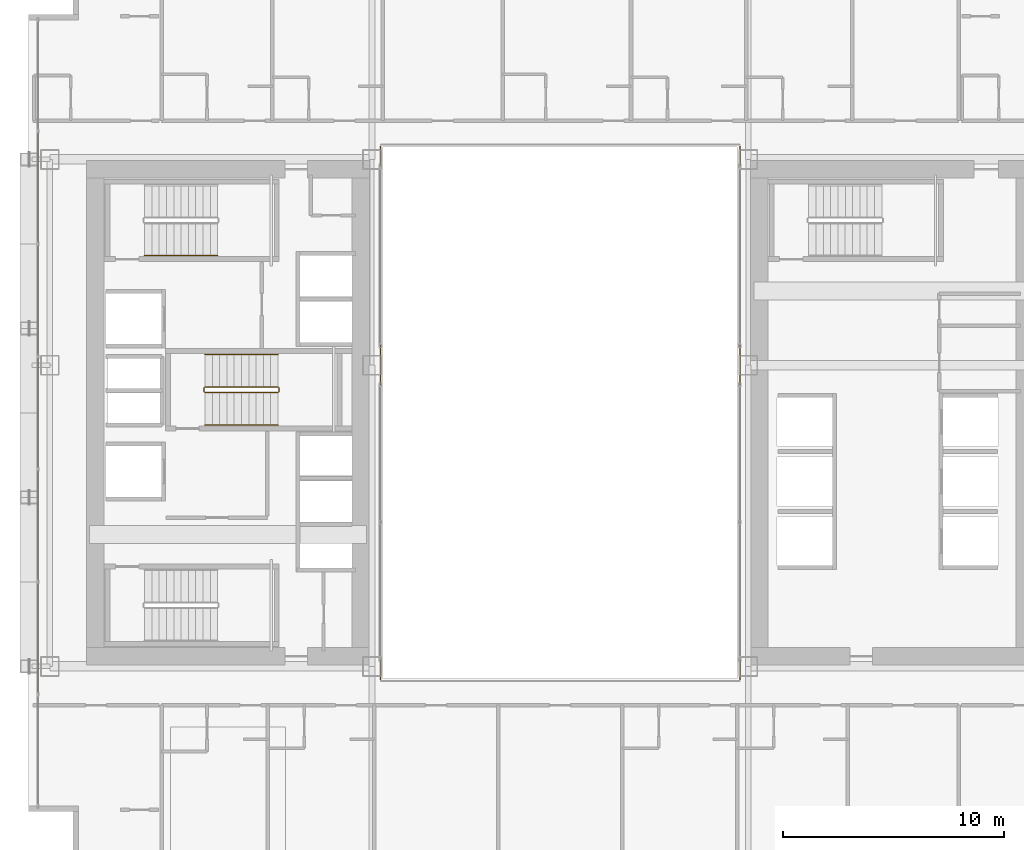
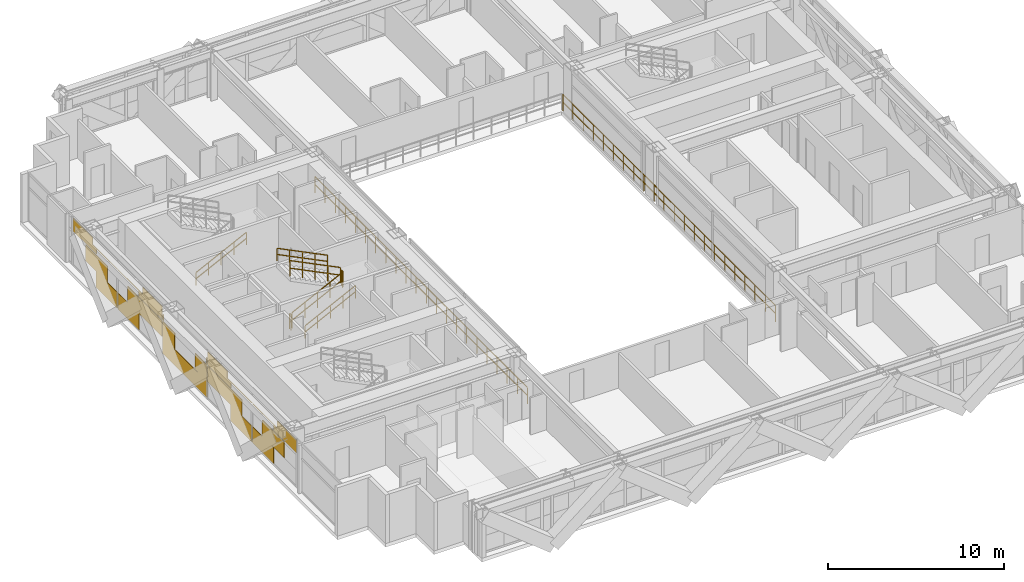
# One storey, part 39 of 41: 9 railings, 1 covering.
"""IFC4 building model written with IfcOpenShell, lengths in metres."""

from ifc_helpers import new_model, si_unit, direction, frame, origin, origin_2d, place, context, subcontext, project, spatial, rectangle, extrude, material, layer, layer_set, type_object, element, save


model = new_model("IFC4")

# Units and contexts
model_context = context("Model", 3, precision=1e-05, world=origin(), true_north=direction((0.0, 1.0)))
body_context = subcontext(model_context, "Body", "Model", "MODEL_VIEW")
ifc_project = project(units=[si_unit("LENGTHUNIT", "METRE"), si_unit("AREAUNIT", "SQUARE_METRE"), si_unit("VOLUMEUNIT", "CUBIC_METRE"), si_unit("PLANEANGLEUNIT", "RADIAN"), si_unit("MASSUNIT", "GRAM", prefix="KILO")], contexts=[model_context])

# Site, building, storey
site_placement = place(None, origin())
site = spatial("IfcSite", under=ifc_project, at=site_placement, CompositionType="ELEMENT")
building_placement = place(site_placement, origin())
building = spatial("IfcBuilding", under=site, at=building_placement, Name="Ocotamira Hotel", CompositionType="ELEMENT")
storey_placement = place(building_placement, frame((0.0, 0.0, 67.199951171875)))
storey = spatial("IfcBuildingStorey", under=building, at=storey_placement, Name="L16", CompositionType="ELEMENT", Elevation=67.199951171875)

# Covering
ifc_material_1 = material(Name="Insulated pale-metal aluminium spandrel panel", Category="aluminium")
ifc_layer = layer(ifc_material_1, 0.044921875)
ifc_layer_set = layer_set([ifc_layer], Name="Insulated pale-metal aluminium spandrel panel")
covering_type = type_object("IfcCoveringType", Name="COV-INFILL-45", PredefinedType="CLADDING", material=ifc_layer_set)
covering_placement = place(storey_placement, origin())
element("IfcCovering", 1, at=covering_placement, inside=storey, type_object=covering_type, Name="L16 Curtain Wall Infill CW-2 CW-L16-W", PredefinedType="CLADDING", context=body_context, shape_type="SweptSolid", body=[
    extrude(rectangle(XDim=2.49658203125, YDim=0.044921875, at=origin_2d()), frame((8.419921875, 15.977783203125, 1.1943359375), z_axis=(0.0, 0.0, 1.0), x_axis=(0.0, 1.0, 0.0)), (0.0, 0.0, 1.0), 1.117919921875),
    extrude(rectangle(XDim=2.415283203125, YDim=0.044921875, at=origin_2d()), frame((8.419921875, 17.123291015625, 0.07568359375), z_axis=(0.0, 0.0, 1.0), x_axis=(0.0, 1.0, 0.0)), (0.0, 0.0, 1.0), 1.11767578125),
    extrude(rectangle(XDim=2.634521484375, YDim=0.044921875, at=origin_2d()), frame((8.419921875, 14.6435546875, 2.38818359375), z_axis=(0.0, 0.0, 1.0), x_axis=(0.0, 1.0, 0.0)), (0.0, 0.0, 1.0), 0.366943359375),
    extrude(rectangle(XDim=5.004638671875, YDim=0.044921875, at=origin_2d()), frame((8.419921875, 15.82861328125, 2.756103515625), z_axis=(0.0, 0.0, 1.0), x_axis=(0.0, 1.0, 0.0)), (0.0, 0.0, 1.0), 0.033203125),
    extrude(rectangle(XDim=2.2080078125, YDim=0.044921875, at=origin_2d()), frame((8.419921875, 14.43017578125, 2.79052734375), z_axis=(0.0, 0.0, 1.0), x_axis=(0.0, 1.0, 0.0)), (0.0, 0.0, 1.0), 0.484130859375),
    extrude(rectangle(XDim=2.40576171875, YDim=0.044921875, at=origin_2d()), frame((8.419921875, 19.61474609375, 0.07568359375), z_axis=(0.0, 0.0, 1.0), x_axis=(0.0, 1.0, 0.0)), (0.0, 0.0, 1.0), 1.11767578125),
    extrude(rectangle(XDim=3.90966796875, YDim=0.044921875, at=origin_2d()), frame((8.419921875, 21.4619140625, 1.1943359375), z_axis=(0.0, 0.0, 1.0), x_axis=(0.0, 1.0, 0.0)), (0.0, 0.0, 1.0), 1.117919921875),
    extrude(rectangle(XDim=5.004638671875, YDim=0.044921875, at=origin_2d()), frame((8.419921875, 20.914306640625, 2.756103515625), z_axis=(0.0, 0.0, 1.0), x_axis=(0.0, 1.0, 0.0)), (0.0, 0.0, 1.0), 0.033203125),
    extrude(rectangle(XDim=2.64404296875, YDim=0.044921875, at=origin_2d()), frame((8.419921875, 22.094482421875, 2.38818359375), z_axis=(0.0, 0.0, 1.0), x_axis=(0.0, 1.0, 0.0)), (0.0, 0.0, 1.0), 0.366943359375),
    extrude(rectangle(XDim=2.217529296875, YDim=0.044921875, at=origin_2d()), frame((8.419921875, 22.307861328125, 2.79052734375), z_axis=(0.0, 0.0, 1.0), x_axis=(0.0, 1.0, 0.0)), (0.0, 0.0, 1.0), 0.484130859375),
    extrude(rectangle(XDim=5.004638671875, YDim=0.044921875, at=origin_2d()), frame((8.419921875, 26.0, 0.07568359375), z_axis=(0.0, 0.0, 1.0), x_axis=(0.0, 1.0, 0.0)), (0.0, 0.0, 1.0), 1.11767578125),
    extrude(rectangle(XDim=1.362060546875, YDim=0.044921875, at=origin_2d()), frame((8.419921875, 24.1787109375, 1.1943359375), z_axis=(0.0, 0.0, 1.0), x_axis=(0.0, 1.0, 0.0)), (0.0, 0.0, 1.0), 1.117919921875),
    extrude(rectangle(XDim=1.362060546875, YDim=0.044921875, at=origin_2d()), frame((8.419921875, 27.8212890625, 1.1943359375), z_axis=(0.0, 0.0, 1.0), x_axis=(0.0, 1.0, 0.0)), (0.0, 0.0, 1.0), 1.117919921875),
    extrude(rectangle(XDim=0.096435546875, YDim=0.044921875, at=origin_2d()), frame((8.419921875, 23.5458984375, 2.387939453125), z_axis=(0.0, 0.0, 1.0), x_axis=(0.0, 1.0, 0.0)), (0.0, 0.0, 1.0), 0.4013671875),
    extrude(rectangle(XDim=0.096435546875, YDim=0.044921875, at=origin_2d()), frame((8.419921875, 28.4541015625, 2.387939453125), z_axis=(0.0, 0.0, 1.0), x_axis=(0.0, 1.0, 0.0)), (0.0, 0.0, 1.0), 0.4013671875),
    extrude(rectangle(XDim=3.90966796875, YDim=0.044921875, at=origin_2d()), frame((8.419921875, 30.5380859375, 1.1943359375), z_axis=(0.0, 0.0, 1.0), x_axis=(0.0, 1.0, 0.0)), (0.0, 0.0, 1.0), 1.117919921875),
    extrude(rectangle(XDim=2.40576171875, YDim=0.044921875, at=origin_2d()), frame((8.419921875, 32.38525390625, 0.07568359375), z_axis=(0.0, 0.0, 1.0), x_axis=(0.0, 1.0, 0.0)), (0.0, 0.0, 1.0), 1.11767578125),
    extrude(rectangle(XDim=2.64404296875, YDim=0.044921875, at=origin_2d()), frame((8.419921875, 29.905517578125, 2.38818359375), z_axis=(0.0, 0.0, 1.0), x_axis=(0.0, 1.0, 0.0)), (0.0, 0.0, 1.0), 0.366943359375),
    extrude(rectangle(XDim=5.004638671875, YDim=0.044921875, at=origin_2d()), frame((8.419921875, 31.085693359375, 2.756103515625), z_axis=(0.0, 0.0, 1.0), x_axis=(0.0, 1.0, 0.0)), (0.0, 0.0, 1.0), 0.033203125),
    extrude(rectangle(XDim=2.217529296875, YDim=0.044921875, at=origin_2d()), frame((8.419921875, 29.692138671875, 2.79052734375), z_axis=(0.0, 0.0, 1.0), x_axis=(0.0, 1.0, 0.0)), (0.0, 0.0, 1.0), 0.484130859375),
    extrude(rectangle(XDim=2.415283203125, YDim=0.044921875, at=origin_2d()), frame((8.419921875, 34.876708984375, 0.07568359375), z_axis=(0.0, 0.0, 1.0), x_axis=(0.0, 1.0, 0.0)), (0.0, 0.0, 1.0), 1.11767578125),
    extrude(rectangle(XDim=2.49658203125, YDim=0.044921875, at=origin_2d()), frame((8.419921875, 36.022216796875, 1.1943359375), z_axis=(0.0, 0.0, 1.0), x_axis=(0.0, 1.0, 0.0)), (0.0, 0.0, 1.0), 1.117919921875),
    extrude(rectangle(XDim=5.004638671875, YDim=0.044921875, at=origin_2d()), frame((8.419921875, 36.17138671875, 2.756103515625), z_axis=(0.0, 0.0, 1.0), x_axis=(0.0, 1.0, 0.0)), (0.0, 0.0, 1.0), 0.033203125),
    extrude(rectangle(XDim=2.634521484375, YDim=0.044921875, at=origin_2d()), frame((8.419921875, 37.3564453125, 2.38818359375), z_axis=(0.0, 0.0, 1.0), x_axis=(0.0, 1.0, 0.0)), (0.0, 0.0, 1.0), 0.366943359375),
    extrude(rectangle(XDim=2.2080078125, YDim=0.044921875, at=origin_2d()), frame((8.419921875, 37.56982421875, 2.79052734375), z_axis=(0.0, 0.0, 1.0), x_axis=(0.0, 1.0, 0.0)), (0.0, 0.0, 1.0), 0.484130859375),
])

# Railings
ifc_material_2 = material(Name="Painted steel stair guardrail", Category="steel")
railing_type_1 = type_object("IfcRailingType", Name="RL-EDGE-1150", PredefinedType="GUARDRAIL", material=ifc_material_2)
railing_1_placement = place(storey_placement, frame((40.1201171875, 13.9599609375, 0.0)))
element("IfcRailing", 2, at=railing_1_placement, inside=storey, type_object=railing_type_1, Name="L16 Central Atrium Edge Guardrail E", PredefinedType="GUARDRAIL", context=body_context, shape_type="SweptSolid", body=[
    extrude(rectangle(XDim=0.048095703125, YDim=0.048095703125, at=origin_2d()), frame((0.0, 0.0, 1.1259765625), z_axis=(0.0, 1.0, 0.0), x_axis=(-1.0, 0.0, 0.0)), (0.0, 0.0, 1.0), 24.080078125),
    extrude(rectangle(XDim=0.048095703125, YDim=0.048095703125, at=origin_2d()), frame((0.0, 0.0, 0.574951171875), z_axis=(0.0, 1.0, 0.0), x_axis=(-1.0, 0.0, 0.0)), (0.0, 0.0, 1.0), 24.080078125),
    extrude(rectangle(XDim=0.0419921875, YDim=0.0419921875, at=origin_2d()), origin(), (0.0, 0.0, 1.0), 1.101806640625),
    extrude(rectangle(XDim=0.0419921875, YDim=0.0419921875, at=origin_2d()), frame((0.0, 1.146728515625, 0.0)), (0.0, 0.0, 1.0), 1.101806640625),
    extrude(rectangle(XDim=0.0419921875, YDim=0.0419921875, at=origin_2d()), frame((0.0, 2.29345703125, 0.0)), (0.0, 0.0, 1.0), 1.101806640625),
    extrude(rectangle(XDim=0.0419921875, YDim=0.0419921875, at=origin_2d()), frame((0.0, 3.43994140625, 0.0)), (0.0, 0.0, 1.0), 1.101806640625),
    extrude(rectangle(XDim=0.0419921875, YDim=0.0419921875, at=origin_2d()), frame((0.0, 4.586669921875, 0.0)), (0.0, 0.0, 1.0), 1.101806640625),
    extrude(rectangle(XDim=0.0419921875, YDim=0.0419921875, at=origin_2d()), frame((0.0, 5.7333984375, 0.0)), (0.0, 0.0, 1.0), 1.101806640625),
    extrude(rectangle(XDim=0.0419921875, YDim=0.0419921875, at=origin_2d()), frame((0.0, 6.880126953125, 0.0)), (0.0, 0.0, 1.0), 1.101806640625),
    extrude(rectangle(XDim=0.0419921875, YDim=0.0419921875, at=origin_2d()), frame((0.0, 8.026611328125, 0.0)), (0.0, 0.0, 1.0), 1.101806640625),
    extrude(rectangle(XDim=0.0419921875, YDim=0.0419921875, at=origin_2d()), frame((0.0, 9.17333984375, 0.0)), (0.0, 0.0, 1.0), 1.101806640625),
    extrude(rectangle(XDim=0.0419921875, YDim=0.0419921875, at=origin_2d()), frame((0.0, 10.320068359375, 0.0)), (0.0, 0.0, 1.0), 1.101806640625),
    extrude(rectangle(XDim=0.0419921875, YDim=0.0419921875, at=origin_2d()), frame((0.0, 11.466796875, 0.0)), (0.0, 0.0, 1.0), 1.101806640625),
    extrude(rectangle(XDim=0.0419921875, YDim=0.0419921875, at=origin_2d()), frame((0.0, 12.61328125, 0.0)), (0.0, 0.0, 1.0), 1.101806640625),
    extrude(rectangle(XDim=0.0419921875, YDim=0.0419921875, at=origin_2d()), frame((0.0, 13.760009765625, 0.0)), (0.0, 0.0, 1.0), 1.101806640625),
    extrude(rectangle(XDim=0.0419921875, YDim=0.0419921875, at=origin_2d()), frame((0.0, 14.90673828125, 0.0)), (0.0, 0.0, 1.0), 1.101806640625),
    extrude(rectangle(XDim=0.0419921875, YDim=0.0419921875, at=origin_2d()), frame((0.0, 16.053466796875, 0.0)), (0.0, 0.0, 1.0), 1.101806640625),
    extrude(rectangle(XDim=0.0419921875, YDim=0.0419921875, at=origin_2d()), frame((0.0, 17.199951171875, 0.0)), (0.0, 0.0, 1.0), 1.101806640625),
    extrude(rectangle(XDim=0.0419921875, YDim=0.0419921875, at=origin_2d()), frame((0.0, 18.3466796875, 0.0)), (0.0, 0.0, 1.0), 1.101806640625),
    extrude(rectangle(XDim=0.0419921875, YDim=0.0419921875, at=origin_2d()), frame((0.0, 19.493408203125, 0.0)), (0.0, 0.0, 1.0), 1.101806640625),
    extrude(rectangle(XDim=0.0419921875, YDim=0.0419921875, at=origin_2d()), frame((0.0, 20.64013671875, 0.0)), (0.0, 0.0, 1.0), 1.101806640625),
    extrude(rectangle(XDim=0.0419921875, YDim=0.0419921875, at=origin_2d()), frame((0.0, 21.78662109375, 0.0)), (0.0, 0.0, 1.0), 1.101806640625),
    extrude(rectangle(XDim=0.0419921875, YDim=0.0419921875, at=origin_2d()), frame((0.0, 22.933349609375, 0.0)), (0.0, 0.0, 1.0), 1.101806640625),
    extrude(rectangle(XDim=0.0419921875, YDim=0.0419921875, at=origin_2d()), frame((0.0, 24.080078125, 0.0)), (0.0, 0.0, 1.0), 1.101806640625),
])
railing_2_placement = place(storey_placement, frame((23.8798828125, 38.0400390625, 0.0)))
element("IfcRailing", 3, at=railing_2_placement, inside=storey, type_object=railing_type_1, Name="L16 Central Atrium Edge Guardrail W", PredefinedType="GUARDRAIL", context=body_context, shape_type="SweptSolid", body=[
    extrude(rectangle(XDim=0.048095703125, YDim=0.048095703125, at=origin_2d()), frame((0.0, 0.0, 1.1259765625), z_axis=(0.0, -1.0, 0.0), x_axis=(1.0, 0.0, 0.0)), (0.0, 0.0, 1.0), 24.080078125),
    extrude(rectangle(XDim=0.048095703125, YDim=0.048095703125, at=origin_2d()), frame((0.0, 0.0, 0.574951171875), z_axis=(0.0, -1.0, 0.0), x_axis=(1.0, 0.0, 0.0)), (0.0, 0.0, 1.0), 24.080078125),
    extrude(rectangle(XDim=0.0419921875, YDim=0.0419921875, at=origin_2d()), origin(), (0.0, 0.0, 1.0), 1.101806640625),
    extrude(rectangle(XDim=0.0419921875, YDim=0.0419921875, at=origin_2d()), frame((0.0, -1.146728515625, 0.0)), (0.0, 0.0, 1.0), 1.101806640625),
    extrude(rectangle(XDim=0.0419921875, YDim=0.0419921875, at=origin_2d()), frame((0.0, -2.29345703125, 0.0)), (0.0, 0.0, 1.0), 1.101806640625),
    extrude(rectangle(XDim=0.0419921875, YDim=0.0419921875, at=origin_2d()), frame((0.0, -3.43994140625, 0.0)), (0.0, 0.0, 1.0), 1.101806640625),
    extrude(rectangle(XDim=0.0419921875, YDim=0.0419921875, at=origin_2d()), frame((0.0, -4.586669921875, 0.0)), (0.0, 0.0, 1.0), 1.101806640625),
    extrude(rectangle(XDim=0.0419921875, YDim=0.0419921875, at=origin_2d()), frame((0.0, -5.7333984375, 0.0)), (0.0, 0.0, 1.0), 1.101806640625),
    extrude(rectangle(XDim=0.0419921875, YDim=0.0419921875, at=origin_2d()), frame((0.0, -6.880126953125, 0.0)), (0.0, 0.0, 1.0), 1.101806640625),
    extrude(rectangle(XDim=0.0419921875, YDim=0.0419921875, at=origin_2d()), frame((0.0, -8.026611328125, 0.0)), (0.0, 0.0, 1.0), 1.101806640625),
    extrude(rectangle(XDim=0.0419921875, YDim=0.0419921875, at=origin_2d()), frame((0.0, -9.17333984375, 0.0)), (0.0, 0.0, 1.0), 1.101806640625),
    extrude(rectangle(XDim=0.0419921875, YDim=0.0419921875, at=origin_2d()), frame((0.0, -10.320068359375, 0.0)), (0.0, 0.0, 1.0), 1.101806640625),
    extrude(rectangle(XDim=0.0419921875, YDim=0.0419921875, at=origin_2d()), frame((0.0, -11.466796875, 0.0)), (0.0, 0.0, 1.0), 1.101806640625),
    extrude(rectangle(XDim=0.0419921875, YDim=0.0419921875, at=origin_2d()), frame((0.0, -12.61328125, 0.0)), (0.0, 0.0, 1.0), 1.101806640625),
    extrude(rectangle(XDim=0.0419921875, YDim=0.0419921875, at=origin_2d()), frame((0.0, -13.760009765625, 0.0)), (0.0, 0.0, 1.0), 1.101806640625),
    extrude(rectangle(XDim=0.0419921875, YDim=0.0419921875, at=origin_2d()), frame((0.0, -14.90673828125, 0.0)), (0.0, 0.0, 1.0), 1.101806640625),
    extrude(rectangle(XDim=0.0419921875, YDim=0.0419921875, at=origin_2d()), frame((0.0, -16.053466796875, 0.0)), (0.0, 0.0, 1.0), 1.101806640625),
    extrude(rectangle(XDim=0.0419921875, YDim=0.0419921875, at=origin_2d()), frame((0.0, -17.199951171875, 0.0)), (0.0, 0.0, 1.0), 1.101806640625),
    extrude(rectangle(XDim=0.0419921875, YDim=0.0419921875, at=origin_2d()), frame((0.0, -18.3466796875, 0.0)), (0.0, 0.0, 1.0), 1.101806640625),
    extrude(rectangle(XDim=0.0419921875, YDim=0.0419921875, at=origin_2d()), frame((0.0, -19.493408203125, 0.0)), (0.0, 0.0, 1.0), 1.101806640625),
    extrude(rectangle(XDim=0.0419921875, YDim=0.0419921875, at=origin_2d()), frame((0.0, -20.64013671875, 0.0)), (0.0, 0.0, 1.0), 1.101806640625),
    extrude(rectangle(XDim=0.0419921875, YDim=0.0419921875, at=origin_2d()), frame((0.0, -21.78662109375, 0.0)), (0.0, 0.0, 1.0), 1.101806640625),
    extrude(rectangle(XDim=0.0419921875, YDim=0.0419921875, at=origin_2d()), frame((0.0, -22.933349609375, 0.0)), (0.0, 0.0, 1.0), 1.101806640625),
    extrude(rectangle(XDim=0.0419921875, YDim=0.0419921875, at=origin_2d()), frame((0.0, -24.080078125, 0.0)), (0.0, 0.0, 1.0), 1.101806640625),
])
ifc_material_3 = material(Name="Brushed stainless steel handrail", Category="steel")
railing_type_2 = type_object("IfcRailingType", Name="RL-HAND-900", PredefinedType="HANDRAIL", material=ifc_material_3)
for number, where, name in (
    (4, (13.22998046875, 33.10009765625, 0.327392578125), "L16 ST-2 stair handrail 1"),
    (5, (15.9599609375, 25.449951171875, 0.327392578125), "L16 ST-3 stair handrail 1"),
):
    element("IfcRailing", number, at=place(storey_placement, frame(where)), inside=storey, type_object=railing_type_2, Name=name, PredefinedType="HANDRAIL", context=body_context, shape_type="SweptSolid", body=[
        extrude(rectangle(XDim=0.048095703125, YDim=0.048095703125, at=origin_2d()), frame((0.0, 0.0, 0.8759765625), z_axis=(0.895920123917, 0.0, 0.444215186098), x_axis=(0.0, 1.0, 0.0)), (0.0, 0.0, 1.0), 3.683349609375),
        extrude(rectangle(XDim=0.048095703125, YDim=0.048095703125, at=origin_2d()), frame((0.0, 0.0, 0.449951171875), z_axis=(0.895920123917, 0.0, 0.444215186098), x_axis=(0.0, 1.0, 0.0)), (0.0, 0.0, 1.0), 3.683349609375),
        extrude(rectangle(XDim=0.0419921875, YDim=0.0419921875, at=origin_2d()), origin(), (0.0, 0.0, 1.0), 0.851806640625),
        extrude(rectangle(XDim=0.0419921875, YDim=0.0419921875, at=origin_2d()), frame((0.824951171875, 0.0, 0.4091796875)), (0.0, 0.0, 1.0), 0.851806640625),
        extrude(rectangle(XDim=0.0419921875, YDim=0.0419921875, at=origin_2d()), frame((1.64990234375, 0.0, 0.818115234375)), (0.0, 0.0, 1.0), 0.851806640625),
        extrude(rectangle(XDim=0.0419921875, YDim=0.0419921875, at=origin_2d()), frame((2.47509765625, 0.0, 1.22705078125)), (0.0, 0.0, 1.0), 0.851806640625),
        extrude(rectangle(XDim=0.0419921875, YDim=0.0419921875, at=origin_2d()), frame((3.300048828125, 0.0, 1.63623046875)), (0.0, 0.0, 1.0), 0.851806640625),
    ])
railing_3_placement = place(storey_placement, frame((19.260009765625, 28.6298828125, 2.12744140625)))
element("IfcRailing", 6, at=railing_3_placement, inside=storey, type_object=railing_type_2, Name="L16 ST-3 stair handrail 2", PredefinedType="HANDRAIL", context=body_context, shape_type="SweptSolid", body=[
    extrude(rectangle(XDim=0.048095703125, YDim=0.048095703125, at=origin_2d()), frame((0.0, 0.0, 0.8759765625), z_axis=(-0.895920123917, 0.0, 0.444215186098), x_axis=(0.0, -1.0, 0.0)), (0.0, 0.0, 1.0), 3.683349609375),
    extrude(rectangle(XDim=0.048095703125, YDim=0.048095703125, at=origin_2d()), frame((0.0, 0.0, 0.449951171875), z_axis=(-0.895920123917, 0.0, 0.444215186098), x_axis=(0.0, -1.0, 0.0)), (0.0, 0.0, 1.0), 3.683349609375),
    extrude(rectangle(XDim=0.0419921875, YDim=0.0419921875, at=origin_2d()), origin(), (0.0, 0.0, 1.0), 0.851806640625),
    extrude(rectangle(XDim=0.0419921875, YDim=0.0419921875, at=origin_2d()), frame((-0.824951171875, 0.0, 0.4091796875)), (0.0, 0.0, 1.0), 0.851806640625),
    extrude(rectangle(XDim=0.0419921875, YDim=0.0419921875, at=origin_2d()), frame((-1.64990234375, 0.0, 0.818115234375)), (0.0, 0.0, 1.0), 0.851806640625),
    extrude(rectangle(XDim=0.0419921875, YDim=0.0419921875, at=origin_2d()), frame((-2.47509765625, 0.0, 1.22705078125)), (0.0, 0.0, 1.0), 0.851806640625),
    extrude(rectangle(XDim=0.0419921875, YDim=0.0419921875, at=origin_2d()), frame((-3.300048828125, 0.0, 1.63623046875)), (0.0, 0.0, 1.0), 0.851806640625),
])
railing_type_3 = type_object("IfcRailingType", Name="RL-STAIR-1100", PredefinedType="GUARDRAIL", material=ifc_material_2)
railing_4_placement = place(storey_placement, frame((15.9599609375, 26.909912109375, 0.16357421875)))
element("IfcRailing", 7, at=railing_4_placement, inside=storey, type_object=railing_type_3, Name="L16 ST-3 stair guard 1", PredefinedType="GUARDRAIL", context=body_context, shape_type="SweptSolid", body=[
    extrude(rectangle(XDim=0.048095703125, YDim=0.048095703125, at=origin_2d()), frame((0.0, 0.0, 1.076171875), z_axis=(0.895893744519, 0.0, 0.4442683857), x_axis=(0.0, 1.0, 0.0)), (0.0, 0.0, 1.0), 3.68359375),
    extrude(rectangle(XDim=0.048095703125, YDim=0.048095703125, at=origin_2d()), frame((0.0, 0.0, 0.550048828125), z_axis=(0.895893744519, 0.0, 0.4442683857), x_axis=(0.0, 1.0, 0.0)), (0.0, 0.0, 1.0), 3.68359375),
    extrude(rectangle(XDim=0.0419921875, YDim=0.0419921875, at=origin_2d()), origin(), (0.0, 0.0, 1.0), 1.052001953125),
    extrude(rectangle(XDim=0.0419921875, YDim=0.0419921875, at=origin_2d()), frame((0.824951171875, 0.0, 0.4091796875)), (0.0, 0.0, 1.0), 1.052001953125),
    extrude(rectangle(XDim=0.0419921875, YDim=0.0419921875, at=origin_2d()), frame((1.64990234375, 0.0, 0.818359375)), (0.0, 0.0, 1.0), 1.052001953125),
    extrude(rectangle(XDim=0.0419921875, YDim=0.0419921875, at=origin_2d()), frame((2.47509765625, 0.0, 1.227294921875)), (0.0, 0.0, 1.0), 1.052001953125),
    extrude(rectangle(XDim=0.0419921875, YDim=0.0419921875, at=origin_2d()), frame((3.300048828125, 0.0, 1.636474609375)), (0.0, 0.0, 1.0), 1.052001953125),
])
railing_5_placement = place(storey_placement, frame((19.31005859375, 26.9599609375, 1.800048828125)))
element("IfcRailing", 8, at=railing_5_placement, inside=storey, type_object=railing_type_3, Name="L16 ST-3 stair guard 2", PredefinedType="GUARDRAIL", context=body_context, shape_type="SweptSolid", body=[
    extrude(rectangle(XDim=0.048095703125, YDim=0.048095703125, at=origin_2d()), frame((0.0, 0.0, 1.076171875), z_axis=(0.0, 1.0, 0.0), x_axis=(-1.0, 0.0, 0.0)), (0.0, 0.0, 1.0), 0.16015625),
    extrude(rectangle(XDim=0.048095703125, YDim=0.048095703125, at=origin_2d()), frame((0.0, 0.0, 0.550048828125), z_axis=(0.0, 1.0, 0.0), x_axis=(-1.0, 0.0, 0.0)), (0.0, 0.0, 1.0), 0.16015625),
    extrude(rectangle(XDim=0.0419921875, YDim=0.0419921875, at=origin_2d()), origin(), (0.0, 0.0, 1.0), 1.052001953125),
    extrude(rectangle(XDim=0.0419921875, YDim=0.0419921875, at=origin_2d()), frame((0.0, 0.16015625, 0.0)), (0.0, 0.0, 1.0), 1.052001953125),
])
railing_6_placement = place(storey_placement, frame((19.260009765625, 27.169921875, 1.963623046875)))
element("IfcRailing", 9, at=railing_6_placement, inside=storey, type_object=railing_type_3, Name="L16 ST-3 stair guard 3", PredefinedType="GUARDRAIL", context=body_context, shape_type="SweptSolid", body=[
    extrude(rectangle(XDim=0.048095703125, YDim=0.048095703125, at=origin_2d()), frame((0.0, 0.0, 1.076171875), z_axis=(-0.895893744519, 0.0, 0.4442683857), x_axis=(0.0, -1.0, 0.0)), (0.0, 0.0, 1.0), 3.68359375),
    extrude(rectangle(XDim=0.048095703125, YDim=0.048095703125, at=origin_2d()), frame((0.0, 0.0, 0.550048828125), z_axis=(-0.895893744519, 0.0, 0.4442683857), x_axis=(0.0, -1.0, 0.0)), (0.0, 0.0, 1.0), 3.68359375),
    extrude(rectangle(XDim=0.0419921875, YDim=0.0419921875, at=origin_2d()), origin(), (0.0, 0.0, 1.0), 1.052001953125),
    extrude(rectangle(XDim=0.0419921875, YDim=0.0419921875, at=origin_2d()), frame((-0.824951171875, 0.0, 0.4091796875)), (0.0, 0.0, 1.0), 1.052001953125),
    extrude(rectangle(XDim=0.0419921875, YDim=0.0419921875, at=origin_2d()), frame((-1.64990234375, 0.0, 0.818359375)), (0.0, 0.0, 1.0), 1.052001953125),
    extrude(rectangle(XDim=0.0419921875, YDim=0.0419921875, at=origin_2d()), frame((-2.47509765625, 0.0, 1.227294921875)), (0.0, 0.0, 1.0), 1.052001953125),
    extrude(rectangle(XDim=0.0419921875, YDim=0.0419921875, at=origin_2d()), frame((-3.300048828125, 0.0, 1.636474609375)), (0.0, 0.0, 1.0), 1.052001953125),
])
railing_7_placement = place(storey_placement, frame((15.909912109375, 26.9599609375, 0.0)))
element("IfcRailing", 10, at=railing_7_placement, inside=storey, type_object=railing_type_3, Name="L16 ST-3 stair guard 4", PredefinedType="GUARDRAIL", context=body_context, shape_type="SweptSolid", body=[
    extrude(rectangle(XDim=0.048095703125, YDim=0.048095703125, at=origin_2d()), frame((0.0, 0.0, 1.076171875), z_axis=(0.0, 1.0, 0.0), x_axis=(-1.0, 0.0, 0.0)), (0.0, 0.0, 1.0), 0.16015625),
    extrude(rectangle(XDim=0.048095703125, YDim=0.048095703125, at=origin_2d()), frame((0.0, 0.0, 0.550048828125), z_axis=(0.0, 1.0, 0.0), x_axis=(-1.0, 0.0, 0.0)), (0.0, 0.0, 1.0), 0.16015625),
    extrude(rectangle(XDim=0.0419921875, YDim=0.0419921875, at=origin_2d()), origin(), (0.0, 0.0, 1.0), 1.052001953125),
    extrude(rectangle(XDim=0.0419921875, YDim=0.0419921875, at=origin_2d()), frame((0.0, 0.16015625, 0.0)), (0.0, 0.0, 1.0), 1.052001953125),
])

save(model, "model.ifc")
